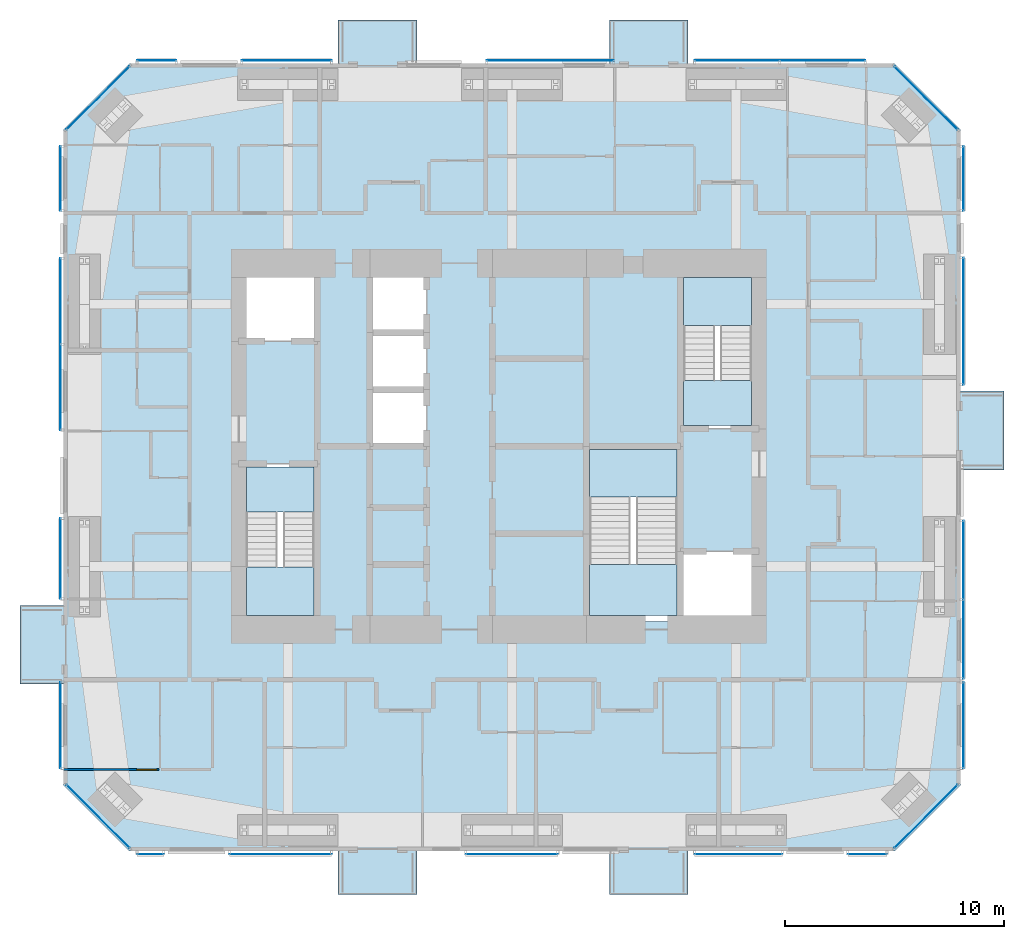
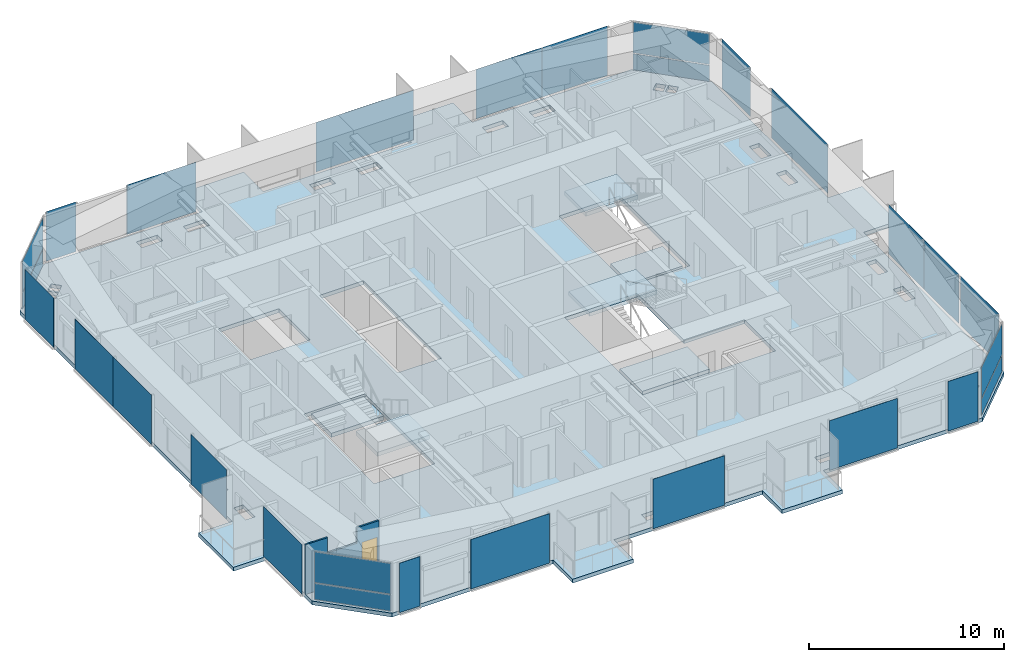
# One storey, part 14 of 23: 28 plates, 7 slabs, 1 door, 1 wall, 1 opening, 24 elements without a shape of their own.
"""IFC4 building model written with IfcOpenShell, lengths in metres."""

from ifc_helpers import new_model, si_unit, direction, frame, frame_2d, origin, origin_2d, place, context, subcontext, project, spatial, polyline, rectangle, outline, extrude, material, layer, layer_set, constituent, constituent_set, type_object, element, fill, aggregate, save


model = new_model("IFC4")

# Units and contexts
model_context = context("Model", 3, precision=1e-05, world=origin(), true_north=direction((0.0, 1.0)))
body_context = subcontext(model_context, "Body", "Model", "MODEL_VIEW")
ifc_project = project(units=[si_unit("LENGTHUNIT", "METRE"), si_unit("AREAUNIT", "SQUARE_METRE"), si_unit("VOLUMEUNIT", "CUBIC_METRE"), si_unit("PLANEANGLEUNIT", "RADIAN"), si_unit("MASSUNIT", "GRAM", prefix="KILO")], contexts=[model_context])

# Site, building, storey
site_placement = place(None, origin())
site = spatial("IfcSite", under=ifc_project, at=site_placement, CompositionType="ELEMENT")
building_placement = place(site_placement, origin())
building = spatial("IfcBuilding", under=site, at=building_placement, Name="Jalousie Tower", CompositionType="ELEMENT")
storey_placement = place(building_placement, frame((0.0, 0.0, 171.10009765625)))
storey = spatial("IfcBuildingStorey", under=building, at=storey_placement, Name="L46", CompositionType="ELEMENT", Elevation=171.10009765625)

# Curtain wall, plates
ifc_material_1 = material(Name="Aluminium curtain wall", Category="aluminium")
curtain_wall_type_1 = type_object("IfcCurtainWallType", Name="CORNER WINDOW WALL", PredefinedType="USERDEFINED", material=ifc_material_1)
curtain_wall_1_placement = place(storey_placement, origin())
curtain_wall_1 = element("IfcCurtainWall", 1, at=curtain_wall_1_placement, inside=storey, type_object=curtain_wall_type_1, Name="Corner Window Wall L46 2", ObjectType="CORNER WINDOW WALL", PredefinedType="USERDEFINED")
ifc_material_2 = material(Name="Laminated impact-rated spandrel glass", Category="glass")
ifc_layer_1 = layer(ifc_material_2, 0.028076171875)
ifc_layer_set_1 = layer_set([ifc_layer_1], Name="Laminated impact-rated spandrel glass")
plate_type_1 = type_object("IfcPlateType", Name="CORNER WINDOW WALL PANEL", PredefinedType="CURTAIN_PANEL", material=ifc_layer_set_1)
plate_1_placement = place(storey_placement, frame((51.4306640625, 1.5693359375, 0.06005859375), z_axis=(0.0, 0.0, 1.0), x_axis=(0.707106781187, 0.707106781187, 0.0)))
plate_1 = element("IfcPlate", 2, at=plate_1_placement, type_object=plate_type_1, Name="CW-C panel 1.1", PredefinedType="CURTAIN_PANEL", context=body_context, shape_type="SweptSolid", body=[
    extrude(rectangle(XDim=4.071533203125, YDim=0.028076171875, at=origin_2d()), origin(), (0.0, 0.0, 1.0), 1.010009765625),
])
plate_2_placement = place(storey_placement, frame((51.4306640625, 1.5693359375, 1.1298828125), z_axis=(0.0, 0.0, 1.0), x_axis=(0.707106781187, 0.707106781187, 0.0)))
plate_2 = element("IfcPlate", 3, at=plate_2_placement, type_object=plate_type_1, Name="CW-C panel 1.2", PredefinedType="CURTAIN_PANEL", context=body_context, shape_type="SweptSolid", body=[
    extrude(rectangle(XDim=4.071533203125, YDim=0.028076171875, at=origin_2d()), origin(), (0.0, 0.0, 1.0), 1.919921875),
])
aggregate(curtain_wall_1, [plate_1, plate_2])

curtain_wall_2_placement = place(storey_placement, origin())
curtain_wall_2 = element("IfcCurtainWall", 4, at=curtain_wall_2_placement, inside=storey, type_object=curtain_wall_type_1, Name="Corner Window Wall L46 4", ObjectType="CORNER WINDOW WALL", PredefinedType="USERDEFINED")
plate_3_placement = place(storey_placement, frame((51.4306640625, 34.4306640625, 0.06005859375), z_axis=(0.0, 0.0, 1.0), x_axis=(-0.707106781187, 0.707106781187, 0.0)))
plate_3 = element("IfcPlate", 5, at=plate_3_placement, type_object=plate_type_1, Name="CW-C panel 1.1", PredefinedType="CURTAIN_PANEL", context=body_context, shape_type="SweptSolid", body=[
    extrude(rectangle(XDim=4.071533203125, YDim=0.028076171875, at=origin_2d()), origin(), (0.0, 0.0, 1.0), 1.010009765625),
])
plate_4_placement = place(storey_placement, frame((51.4306640625, 34.4306640625, 1.1298828125), z_axis=(0.0, 0.0, 1.0), x_axis=(-0.707106781187, 0.707106781187, 0.0)))
plate_4 = element("IfcPlate", 6, at=plate_4_placement, type_object=plate_type_1, Name="CW-C panel 1.2", PredefinedType="CURTAIN_PANEL", context=body_context, shape_type="SweptSolid", body=[
    extrude(rectangle(XDim=4.071533203125, YDim=0.028076171875, at=origin_2d()), origin(), (0.0, 0.0, 1.0), 1.919921875),
])
aggregate(curtain_wall_2, [plate_3, plate_4])

curtain_wall_3_placement = place(storey_placement, origin())
curtain_wall_3 = element("IfcCurtainWall", 7, at=curtain_wall_3_placement, inside=storey, type_object=curtain_wall_type_1, Name="Corner Window Wall L46 6", ObjectType="CORNER WINDOW WALL", PredefinedType="USERDEFINED")
plate_5_placement = place(storey_placement, frame((13.5693359375, 34.4306640625, 0.06005859375), z_axis=(0.0, 0.0, 1.0), x_axis=(-0.707106781187, -0.707106781187, 0.0)))
plate_5 = element("IfcPlate", 8, at=plate_5_placement, type_object=plate_type_1, Name="CW-C panel 1.1", PredefinedType="CURTAIN_PANEL", context=body_context, shape_type="SweptSolid", body=[
    extrude(rectangle(XDim=4.071533203125, YDim=0.028076171875, at=origin_2d()), origin(), (0.0, 0.0, 1.0), 1.010009765625),
])
plate_6_placement = place(storey_placement, frame((13.5693359375, 34.4306640625, 1.1298828125), z_axis=(0.0, 0.0, 1.0), x_axis=(-0.707106781187, -0.707106781187, 0.0)))
plate_6 = element("IfcPlate", 9, at=plate_6_placement, type_object=plate_type_1, Name="CW-C panel 1.2", PredefinedType="CURTAIN_PANEL", context=body_context, shape_type="SweptSolid", body=[
    extrude(rectangle(XDim=4.071533203125, YDim=0.028076171875, at=origin_2d()), origin(), (0.0, 0.0, 1.0), 1.919921875),
])
aggregate(curtain_wall_3, [plate_5, plate_6])

curtain_wall_4_placement = place(storey_placement, origin())
curtain_wall_4 = element("IfcCurtainWall", 10, at=curtain_wall_4_placement, inside=storey, type_object=curtain_wall_type_1, Name="Corner Window Wall L46 8", ObjectType="CORNER WINDOW WALL", PredefinedType="USERDEFINED")
plate_7_placement = place(storey_placement, frame((13.5693359375, 1.5693359375, 0.06005859375), z_axis=(0.0, 0.0, 1.0), x_axis=(0.707106781187, -0.707106781187, 0.0)))
plate_7 = element("IfcPlate", 11, at=plate_7_placement, type_object=plate_type_1, Name="CW-C panel 1.1", PredefinedType="CURTAIN_PANEL", context=body_context, shape_type="SweptSolid", body=[
    extrude(rectangle(XDim=4.071533203125, YDim=0.028076171875, at=origin_2d()), origin(), (0.0, 0.0, 1.0), 1.010009765625),
])
plate_8_placement = place(storey_placement, frame((13.5693359375, 1.5693359375, 1.1298828125), z_axis=(0.0, 0.0, 1.0), x_axis=(0.707106781187, -0.707106781187, 0.0)))
plate_8 = element("IfcPlate", 12, at=plate_8_placement, type_object=plate_type_1, Name="CW-C panel 1.2", PredefinedType="CURTAIN_PANEL", context=body_context, shape_type="SweptSolid", body=[
    extrude(rectangle(XDim=4.071533203125, YDim=0.028076171875, at=origin_2d()), origin(), (0.0, 0.0, 1.0), 1.919921875),
])
aggregate(curtain_wall_4, [plate_7, plate_8])

# Slab
ifc_material_3 = material(Name="Concrete f'c 40 MPa", Category="concrete")
ifc_layer_2 = layer(ifc_material_3, 0.239990234375)
ifc_layer_set_2 = layer_set([ifc_layer_2], Name="Concrete f'c 40 MPa")
slab_type_1 = type_object("IfcSlabType", Name="FLOOR SLAB 240", PredefinedType="FLOOR", material=ifc_layer_set_2)
slab_1_placement = place(storey_placement, frame((0.0, 0.0, -0.239990234375)))
element("IfcSlab", 13, at=slab_1_placement, inside=storey, type_object=slab_type_1, Name="L46 floor slab", PredefinedType="FLOOR", context=body_context, shape_type="SweptSolid", body=[
    extrude(outline(polyline([(40.550048828125, 38.0), (40.550048828125, 36.0), (50.0, 36.0), (53.0, 33.0), (53.0, 21.02490234375), (55.0, 21.02490234375), (55.0, 17.425048828125), (53.0, 17.425048828125), (53.0, 3.0), (50.0, 0.0), (40.550048828125, 0.0), (40.550048828125, -2.0), (36.949951171875, -2.0), (36.949951171875, 0.0), (28.14990234375, 0.0), (28.14990234375, -2.0), (24.550048828125, -2.0), (24.550048828125, 0.0), (15.0, 0.0), (12.0, 3.0), (12.0, 7.625), (10.0, 7.625), (10.0, 11.22509765625), (12.0, 11.22509765625), (12.0, 33.0), (15.0, 36.0), (24.550048828125, 36.0), (24.550048828125, 38.0), (28.14990234375, 38.0), (28.14990234375, 36.0), (36.949951171875, 36.0), (36.949951171875, 38.0), (40.550048828125, 38.0)]), holes=[polyline([(51.763916015625, 27.0), (51.763916015625, 25.77294921875), (52.336181640625, 25.77294921875), (52.336181640625, 27.0), (51.763916015625, 27.0)]), polyline([(52.336181640625, 24.22705078125), (51.763916015625, 24.22705078125), (51.763916015625, 23.0), (52.336181640625, 23.0), (52.336181640625, 24.22705078125)]), polyline([(52.336181640625, 15.0), (51.763916015625, 15.0), (51.763916015625, 13.77294921875), (52.336181640625, 13.77294921875), (52.336181640625, 15.0)]), polyline([(52.336181640625, 12.22705078125), (51.763916015625, 12.22705078125), (51.763916015625, 11.0), (52.336181640625, 11.0), (52.336181640625, 12.22705078125)]), polyline([(50.873291015625, 33.02490234375), (51.278076171875, 33.4296875), (50.89599609375, 33.811767578125), (50.4912109375, 33.406982421875), (50.873291015625, 33.02490234375)]), polyline([(50.89599609375, 2.188232421875), (51.278076171875, 2.5703125), (50.873291015625, 2.97509765625), (50.4912109375, 2.593017578125), (50.89599609375, 2.188232421875)]), polyline([(50.02490234375, 2.126708984375), (50.4296875, 1.721923828125), (50.811767578125, 2.10400390625), (50.406982421875, 2.5087890625), (50.02490234375, 2.126708984375)]), polyline([(50.02490234375, 33.873291015625), (50.406982421875, 33.4912109375), (50.811767578125, 33.89599609375), (50.4296875, 34.278076171875), (50.02490234375, 33.873291015625)]), polyline([(43.52294921875, 34.763916015625), (44.75, 34.763916015625), (44.75, 35.336181640625), (43.52294921875, 35.336181640625), (43.52294921875, 34.763916015625)]), polyline([(43.52294921875, 0.663818359375), (44.75, 0.663818359375), (44.75, 1.236083984375), (43.52294921875, 1.236083984375), (43.52294921875, 0.663818359375)]), polyline([(43.800048828125, 26.5), (40.199951171875, 26.5), (40.199951171875, 19.300048828125), (43.800048828125, 19.300048828125), (43.800048828125, 26.5)]), polyline([(35.89990234375, 18.5), (35.89990234375, 10.5), (43.800048828125, 10.5), (43.800048828125, 13.699951171875), (40.199951171875, 13.699951171875), (40.199951171875, 18.5), (35.89990234375, 18.5)]), polyline([(40.75, 34.763916015625), (41.97705078125, 34.763916015625), (41.97705078125, 35.336181640625), (40.75, 35.336181640625), (40.75, 34.763916015625)]), polyline([(40.75, 0.663818359375), (41.97705078125, 0.663818359375), (41.97705078125, 1.236083984375), (40.75, 1.236083984375), (40.75, 0.663818359375)]), polyline([(34.5, 0.663818359375), (34.5, 1.236083984375), (33.27294921875, 1.236083984375), (33.27294921875, 0.663818359375), (34.5, 0.663818359375)]), polyline([(34.5, 34.763916015625), (34.5, 35.336181640625), (33.27294921875, 35.336181640625), (33.27294921875, 34.763916015625), (34.5, 34.763916015625)]), polyline([(30.5, 35.336181640625), (30.5, 34.763916015625), (31.72705078125, 34.763916015625), (31.72705078125, 35.336181640625), (30.5, 35.336181640625)]), polyline([(30.5, 1.236083984375), (30.5, 0.663818359375), (31.72705078125, 0.663818359375), (31.72705078125, 1.236083984375), (30.5, 1.236083984375)]), polyline([(28.60009765625, 26.5), (26.0, 26.5), (26.0, 18.5), (28.60009765625, 18.5), (28.60009765625, 26.5)]), polyline([(24.25, 35.336181640625), (23.02294921875, 35.336181640625), (23.02294921875, 34.763916015625), (24.25, 34.763916015625), (24.25, 35.336181640625)]), polyline([(24.25, 0.663818359375), (24.25, 1.236083984375), (23.02294921875, 1.236083984375), (23.02294921875, 0.663818359375), (24.25, 0.663818359375)]), polyline([(23.60009765625, 26.5), (20.0, 26.5), (20.0, 23.300048828125), (23.60009765625, 23.300048828125), (23.60009765625, 26.5)]), polyline([(23.60009765625, 17.699951171875), (20.0, 17.699951171875), (20.0, 10.5), (23.60009765625, 10.5), (23.60009765625, 17.699951171875)]), polyline([(21.47705078125, 34.763916015625), (21.47705078125, 35.336181640625), (20.25, 35.336181640625), (20.25, 34.763916015625), (21.47705078125, 34.763916015625)]), polyline([(21.47705078125, 0.663818359375), (21.47705078125, 1.236083984375), (20.25, 1.236083984375), (20.25, 0.663818359375), (21.47705078125, 0.663818359375)]), polyline([(14.97509765625, 33.873291015625), (14.5703125, 34.278076171875), (14.188232421875, 33.89599609375), (14.593017578125, 33.4912109375), (14.97509765625, 33.873291015625)]), polyline([(14.5703125, 1.721923828125), (14.97509765625, 2.126708984375), (14.593017578125, 2.5087890625), (14.188232421875, 2.10400390625), (14.5703125, 1.721923828125)]), polyline([(13.721923828125, 2.5703125), (14.10400390625, 2.188232421875), (14.5087890625, 2.593017578125), (14.126708984375, 2.97509765625), (13.721923828125, 2.5703125)]), polyline([(14.126708984375, 33.02490234375), (14.5087890625, 33.406982421875), (14.10400390625, 33.811767578125), (13.721923828125, 33.4296875), (14.126708984375, 33.02490234375)]), polyline([(12.663818359375, 23.0), (13.236083984375, 23.0), (13.236083984375, 24.22705078125), (12.663818359375, 24.22705078125), (12.663818359375, 23.0)]), polyline([(13.236083984375, 27.0), (12.663818359375, 27.0), (12.663818359375, 25.77294921875), (13.236083984375, 25.77294921875), (13.236083984375, 27.0)]), polyline([(12.663818359375, 15.0), (12.663818359375, 13.77294921875), (13.236083984375, 13.77294921875), (13.236083984375, 15.0), (12.663818359375, 15.0)]), polyline([(13.236083984375, 12.22705078125), (12.663818359375, 12.22705078125), (12.663818359375, 11.0), (13.236083984375, 11.0), (13.236083984375, 12.22705078125)])]), origin(), (0.0, 0.0, 1.0), 0.239990234375),
])

# Curtain wall, plate
ifc_material_4 = material(Name="Perforated aluminium sheet", Category="aluminium")
curtain_wall_type_2 = type_object("IfcCurtainWallType", Name="SOLAR SCREEN SS-1", PredefinedType="USERDEFINED", material=ifc_material_4)
curtain_wall_5_placement = place(storey_placement, origin())
curtain_wall_5 = element("IfcCurtainWall", 14, at=curtain_wall_5_placement, inside=storey, type_object=curtain_wall_type_2, Name="Solar screen L46", ObjectType="SOLAR SCREEN SS-1", PredefinedType="USERDEFINED")
ifc_material_5 = material(Name="Perforated aluminium sheet", Category="aluminium")
ifc_layer_3 = layer(ifc_material_5, 0.006103515625)
ifc_layer_set_3 = layer_set([ifc_layer_3], Name="Perforated aluminium sheet")
plate_type_2 = type_object("IfcPlateType", Name="SOLAR SCREEN SS-1 PANEL", PredefinedType="CURTAIN_PANEL", material=ifc_layer_set_3)
plate_9_placement = place(storey_placement, frame((15.96337890625, -0.150390625, 0.0), z_axis=(0.0, 0.0, 1.0), x_axis=(1.0, 0.0, 0.0)))
plate_9 = element("IfcPlate", 15, at=plate_9_placement, type_object=plate_type_2, Name="SS1 perforated panel 1", PredefinedType="CURTAIN_PANEL", context=body_context, shape_type="SweptSolid", body=[
    extrude(rectangle(XDim=1.224365234375, YDim=0.006103515625, at=origin_2d()), origin(), (0.0, 0.0, 1.0), 3.110107421875),
])
aggregate(curtain_wall_5, [plate_9])

curtain_wall_6_placement = place(storey_placement, origin())
curtain_wall_6 = element("IfcCurtainWall", 16, at=curtain_wall_6_placement, inside=storey, type_object=curtain_wall_type_2, Name="Solar screen L46", ObjectType="SOLAR SCREEN SS-1", PredefinedType="USERDEFINED")
plate_10_placement = place(storey_placement, frame((21.912841796875, -0.150390625, 0.0), z_axis=(0.0, 0.0, 1.0), x_axis=(1.0, 0.0, 0.0)))
plate_10 = element("IfcPlate", 17, at=plate_10_placement, type_object=plate_type_2, Name="SS1 perforated panel 1", PredefinedType="CURTAIN_PANEL", context=body_context, shape_type="SweptSolid", body=[
    extrude(rectangle(XDim=4.67431640625, YDim=0.006103515625, at=origin_2d()), origin(), (0.0, 0.0, 1.0), 3.110107421875),
])
aggregate(curtain_wall_6, [plate_10])

curtain_wall_7_placement = place(storey_placement, origin())
curtain_wall_7 = element("IfcCurtainWall", 18, at=curtain_wall_7_placement, inside=storey, type_object=curtain_wall_type_2, Name="Solar screen L46", ObjectType="SOLAR SCREEN SS-1", PredefinedType="USERDEFINED")
plate_11_placement = place(storey_placement, frame((32.489501953125, -0.150390625, 0.0), z_axis=(0.0, 0.0, 1.0), x_axis=(1.0, 0.0, 0.0)))
plate_11 = element("IfcPlate", 19, at=plate_11_placement, type_object=plate_type_2, Name="SS1 perforated panel 1", PredefinedType="CURTAIN_PANEL", context=body_context, shape_type="SweptSolid", body=[
    extrude(rectangle(XDim=4.22119140625, YDim=0.006103515625, at=origin_2d()), origin(), (0.0, 0.0, 1.0), 3.110107421875),
])
aggregate(curtain_wall_7, [plate_11])

curtain_wall_8_placement = place(storey_placement, origin())
curtain_wall_8 = element("IfcCurtainWall", 20, at=curtain_wall_8_placement, inside=storey, type_object=curtain_wall_type_2, Name="Solar screen L46", ObjectType="SOLAR SCREEN SS-1", PredefinedType="USERDEFINED")
plate_12_placement = place(storey_placement, frame((42.8544921875, -0.150390625, 0.0), z_axis=(0.0, 0.0, 1.0), x_axis=(1.0, 0.0, 0.0)))
plate_12 = element("IfcPlate", 21, at=plate_12_placement, type_object=plate_type_2, Name="SS1 perforated panel 1", PredefinedType="CURTAIN_PANEL", context=body_context, shape_type="SweptSolid", body=[
    extrude(rectangle(XDim=4.00927734375, YDim=0.006103515625, at=origin_2d()), origin(), (0.0, 0.0, 1.0), 3.110107421875),
])
aggregate(curtain_wall_8, [plate_12])

curtain_wall_9_placement = place(storey_placement, origin())
curtain_wall_9 = element("IfcCurtainWall", 22, at=curtain_wall_9_placement, inside=storey, type_object=curtain_wall_type_2, Name="Solar screen L46", ObjectType="SOLAR SCREEN SS-1", PredefinedType="USERDEFINED")
plate_13_placement = place(storey_placement, frame((48.75390625, -0.150390625, 0.0), z_axis=(0.0, 0.0, 1.0), x_axis=(1.0, 0.0, 0.0)))
plate_13 = element("IfcPlate", 23, at=plate_13_placement, type_object=plate_type_2, Name="SS1 perforated panel 1", PredefinedType="CURTAIN_PANEL", context=body_context, shape_type="SweptSolid", body=[
    extrude(rectangle(XDim=1.789306640625, YDim=0.006103515625, at=origin_2d()), origin(), (0.0, 0.0, 1.0), 3.110107421875),
])
aggregate(curtain_wall_9, [plate_13])

curtain_wall_10_placement = place(storey_placement, origin())
curtain_wall_10 = element("IfcCurtainWall", 24, at=curtain_wall_10_placement, inside=storey, type_object=curtain_wall_type_2, Name="Solar screen L46", ObjectType="SOLAR SCREEN SS-1", PredefinedType="USERDEFINED")
plate_14_placement = place(storey_placement, frame((53.150390625, 5.748046875, 0.0), z_axis=(0.0, 0.0, 1.0), x_axis=(0.0, 1.0, 0.0)))
plate_14 = element("IfcPlate", 25, at=plate_14_placement, type_object=plate_type_2, Name="SS1 perforated panel 1", PredefinedType="CURTAIN_PANEL", context=body_context, shape_type="SweptSolid", body=[
    extrude(rectangle(XDim=3.95361328125, YDim=0.006103515625, at=origin_2d()), origin(), (0.0, 0.0, 1.0), 3.110107421875),
])
aggregate(curtain_wall_10, [plate_14])

# Curtain wall, plates
curtain_wall_11_placement = place(storey_placement, origin())
curtain_wall_11 = element("IfcCurtainWall", 26, at=curtain_wall_11_placement, inside=storey, type_object=curtain_wall_type_2, Name="Solar screen L46", ObjectType="SOLAR SCREEN SS-1", PredefinedType="USERDEFINED")
plate_15_placement = place(storey_placement, frame((53.150390625, 9.681396484375, 0.0), z_axis=(0.0, 0.0, 1.0), x_axis=(0.0, 1.0, 0.0)))
plate_15 = element("IfcPlate", 27, at=plate_15_placement, type_object=plate_type_2, Name="SS1 perforated panel 1", PredefinedType="CURTAIN_PANEL", context=body_context, shape_type="SweptSolid", body=[
    extrude(rectangle(XDim=3.612548828125, YDim=0.006103515625, at=origin_2d()), origin(), (0.0, 0.0, 1.0), 3.110107421875),
])
plate_16_placement = place(storey_placement, frame((53.150390625, 13.293701171875, 0.0), z_axis=(0.0, 0.0, 1.0), x_axis=(0.0, 1.0, 0.0)))
plate_16 = element("IfcPlate", 28, at=plate_16_placement, type_object=plate_type_2, Name="SS1 perforated panel 2", PredefinedType="CURTAIN_PANEL", context=body_context, shape_type="SweptSolid", body=[
    extrude(rectangle(XDim=3.612548828125, YDim=0.006103515625, at=origin_2d()), origin(), (0.0, 0.0, 1.0), 3.110107421875),
])
aggregate(curtain_wall_11, [plate_15, plate_16])

# Curtain wall, plate
curtain_wall_12_placement = place(storey_placement, origin())
curtain_wall_12 = element("IfcCurtainWall", 29, at=curtain_wall_12_placement, inside=storey, type_object=curtain_wall_type_2, Name="Solar screen L46", ObjectType="SOLAR SCREEN SS-1", PredefinedType="USERDEFINED")
plate_17_placement = place(storey_placement, frame((53.150390625, 24.224853515625, 0.0), z_axis=(0.0, 0.0, 1.0), x_axis=(0.0, 1.0, 0.0)))
plate_17 = element("IfcPlate", 30, at=plate_17_placement, type_object=plate_type_2, Name="SS1 perforated panel 1", PredefinedType="CURTAIN_PANEL", context=body_context, shape_type="SweptSolid", body=[
    extrude(rectangle(XDim=5.799560546875, YDim=0.006103515625, at=origin_2d()), origin(), (0.0, 0.0, 1.0), 3.110107421875),
])
aggregate(curtain_wall_12, [plate_17])

curtain_wall_13_placement = place(storey_placement, origin())
curtain_wall_13 = element("IfcCurtainWall", 31, at=curtain_wall_13_placement, inside=storey, type_object=curtain_wall_type_2, Name="Solar screen L46", ObjectType="SOLAR SCREEN SS-1", PredefinedType="USERDEFINED")
plate_18_placement = place(storey_placement, frame((53.150390625, 30.751953125, 0.0), z_axis=(0.0, 0.0, 1.0), x_axis=(0.0, 1.0, 0.0)))
plate_18 = element("IfcPlate", 32, at=plate_18_placement, type_object=plate_type_2, Name="SS1 perforated panel 1", PredefinedType="CURTAIN_PANEL", context=body_context, shape_type="SweptSolid", body=[
    extrude(rectangle(XDim=2.95361328125, YDim=0.006103515625, at=origin_2d()), origin(), (0.0, 0.0, 1.0), 3.110107421875),
])
aggregate(curtain_wall_13, [plate_18])

# Curtain wall, plates
curtain_wall_14_placement = place(storey_placement, origin())
curtain_wall_14 = element("IfcCurtainWall", 33, at=curtain_wall_14_placement, inside=storey, type_object=curtain_wall_type_2, Name="Solar screen L46", ObjectType="SOLAR SCREEN SS-1", PredefinedType="USERDEFINED")
plate_19_placement = place(storey_placement, frame((46.699951171875, 36.150390625, 0.0), z_axis=(0.0, 0.0, 1.0), x_axis=(-1.0, 0.0, 0.0)))
plate_19 = element("IfcPlate", 34, at=plate_19_placement, type_object=plate_type_2, Name="SS1 perforated panel 1", PredefinedType="CURTAIN_PANEL", context=body_context, shape_type="SweptSolid", body=[
    extrude(rectangle(XDim=3.89990234375, YDim=0.006103515625, at=origin_2d()), origin(), (0.0, 0.0, 1.0), 3.110107421875),
])
plate_20_placement = place(storey_placement, frame((42.800048828125, 36.150390625, 0.0), z_axis=(0.0, 0.0, 1.0), x_axis=(-1.0, 0.0, 0.0)))
plate_20 = element("IfcPlate", 35, at=plate_20_placement, type_object=plate_type_2, Name="SS1 perforated panel 2", PredefinedType="CURTAIN_PANEL", context=body_context, shape_type="SweptSolid", body=[
    extrude(rectangle(XDim=3.89990234375, YDim=0.006103515625, at=origin_2d()), origin(), (0.0, 0.0, 1.0), 3.110107421875),
])
aggregate(curtain_wall_14, [plate_19, plate_20])

# Curtain wall, plate
curtain_wall_15_placement = place(storey_placement, origin())
curtain_wall_15 = element("IfcCurtainWall", 36, at=curtain_wall_15_placement, inside=storey, type_object=curtain_wall_type_2, Name="Solar screen L46", ObjectType="SOLAR SCREEN SS-1", PredefinedType="USERDEFINED")
plate_21_placement = place(storey_placement, frame((34.25, 36.150390625, 0.0), z_axis=(0.0, 0.0, 1.0), x_axis=(-1.0, 0.0, 0.0)))
plate_21 = element("IfcPlate", 37, at=plate_21_placement, type_object=plate_type_2, Name="SS1 perforated panel 1", PredefinedType="CURTAIN_PANEL", context=body_context, shape_type="SweptSolid", body=[
    extrude(rectangle(XDim=5.800048828125, YDim=0.006103515625, at=origin_2d()), origin(), (0.0, 0.0, 1.0), 3.110107421875),
])
aggregate(curtain_wall_15, [plate_21])

curtain_wall_16_placement = place(storey_placement, origin())
curtain_wall_16 = element("IfcCurtainWall", 38, at=curtain_wall_16_placement, inside=storey, type_object=curtain_wall_type_2, Name="Solar screen L46", ObjectType="SOLAR SCREEN SS-1", PredefinedType="USERDEFINED")
plate_22_placement = place(storey_placement, frame((22.197265625, 36.150390625, 0.0), z_axis=(0.0, 0.0, 1.0), x_axis=(-1.0, 0.0, 0.0)))
plate_22 = element("IfcPlate", 39, at=plate_22_placement, type_object=plate_type_2, Name="SS1 perforated panel 1", PredefinedType="CURTAIN_PANEL", context=body_context, shape_type="SweptSolid", body=[
    extrude(rectangle(XDim=4.10546875, YDim=0.006103515625, at=origin_2d()), origin(), (0.0, 0.0, 1.0), 3.110107421875),
])
aggregate(curtain_wall_16, [plate_22])

curtain_wall_17_placement = place(storey_placement, origin())
curtain_wall_17 = element("IfcCurtainWall", 40, at=curtain_wall_17_placement, inside=storey, type_object=curtain_wall_type_2, Name="Solar screen L46", ObjectType="SOLAR SCREEN SS-1", PredefinedType="USERDEFINED")
plate_23_placement = place(storey_placement, frame((16.247802734375, 36.150390625, 0.0), z_axis=(0.0, 0.0, 1.0), x_axis=(-1.0, 0.0, 0.0)))
plate_23 = element("IfcPlate", 41, at=plate_23_placement, type_object=plate_type_2, Name="SS1 perforated panel 1", PredefinedType="CURTAIN_PANEL", context=body_context, shape_type="SweptSolid", body=[
    extrude(rectangle(XDim=1.793212890625, YDim=0.006103515625, at=origin_2d()), origin(), (0.0, 0.0, 1.0), 3.110107421875),
])
aggregate(curtain_wall_17, [plate_23])

curtain_wall_18_placement = place(storey_placement, origin())
curtain_wall_18 = element("IfcCurtainWall", 42, at=curtain_wall_18_placement, inside=storey, type_object=curtain_wall_type_2, Name="Solar screen L46", ObjectType="SOLAR SCREEN SS-1", PredefinedType="USERDEFINED")
plate_24_placement = place(storey_placement, frame((11.849609375, 30.751953125, 0.0), z_axis=(0.0, 0.0, 1.0), x_axis=(0.0, -1.0, 0.0)))
plate_24 = element("IfcPlate", 43, at=plate_24_placement, type_object=plate_type_2, Name="SS1 perforated panel 1", PredefinedType="CURTAIN_PANEL", context=body_context, shape_type="SweptSolid", body=[
    extrude(rectangle(XDim=2.95361328125, YDim=0.006103515625, at=origin_2d()), origin(), (0.0, 0.0, 1.0), 3.110107421875),
])
aggregate(curtain_wall_18, [plate_24])

# Curtain wall, plates
curtain_wall_19_placement = place(storey_placement, origin())
curtain_wall_19 = element("IfcCurtainWall", 44, at=curtain_wall_19_placement, inside=storey, type_object=curtain_wall_type_2, Name="Solar screen L46", ObjectType="SOLAR SCREEN SS-1", PredefinedType="USERDEFINED")
plate_25_placement = place(storey_placement, frame((11.849609375, 25.137451171875, 0.0), z_axis=(0.0, 0.0, 1.0), x_axis=(0.0, -1.0, 0.0)))
plate_25 = element("IfcPlate", 45, at=plate_25_placement, type_object=plate_type_2, Name="SS1 perforated panel 1", PredefinedType="CURTAIN_PANEL", context=body_context, shape_type="SweptSolid", body=[
    extrude(rectangle(XDim=3.925048828125, YDim=0.006103515625, at=origin_2d()), origin(), (0.0, 0.0, 1.0), 3.110107421875),
])
plate_26_placement = place(storey_placement, frame((11.849609375, 21.21240234375, 0.0), z_axis=(0.0, 0.0, 1.0), x_axis=(0.0, -1.0, 0.0)))
plate_26 = element("IfcPlate", 46, at=plate_26_placement, type_object=plate_type_2, Name="SS1 perforated panel 2", PredefinedType="CURTAIN_PANEL", context=body_context, shape_type="SweptSolid", body=[
    extrude(rectangle(XDim=3.925048828125, YDim=0.006103515625, at=origin_2d()), origin(), (0.0, 0.0, 1.0), 3.110107421875),
])
aggregate(curtain_wall_19, [plate_25, plate_26])

# Curtain wall, plate
curtain_wall_20_placement = place(storey_placement, origin())
curtain_wall_20 = element("IfcCurtainWall", 47, at=curtain_wall_20_placement, inside=storey, type_object=curtain_wall_type_2, Name="Solar screen L46", ObjectType="SOLAR SCREEN SS-1", PredefinedType="USERDEFINED")
plate_27_placement = place(storey_placement, frame((11.849609375, 13.364990234375, 0.0), z_axis=(0.0, 0.0, 1.0), x_axis=(0.0, -1.0, 0.0)))
plate_27 = element("IfcPlate", 48, at=plate_27_placement, type_object=plate_type_2, Name="SS1 perforated panel 1", PredefinedType="CURTAIN_PANEL", context=body_context, shape_type="SweptSolid", body=[
    extrude(rectangle(XDim=3.679931640625, YDim=0.006103515625, at=origin_2d()), origin(), (0.0, 0.0, 1.0), 3.110107421875),
])
aggregate(curtain_wall_20, [plate_27])

curtain_wall_21_placement = place(storey_placement, origin())
curtain_wall_21 = element("IfcCurtainWall", 49, at=curtain_wall_21_placement, inside=storey, type_object=curtain_wall_type_2, Name="Solar screen L46", ObjectType="SOLAR SCREEN SS-1", PredefinedType="USERDEFINED")
plate_28_placement = place(storey_placement, frame((11.849609375, 5.748046875, 0.0), z_axis=(0.0, 0.0, 1.0), x_axis=(0.0, -1.0, 0.0)))
plate_28 = element("IfcPlate", 50, at=plate_28_placement, type_object=plate_type_2, Name="SS1 perforated panel 1", PredefinedType="CURTAIN_PANEL", context=body_context, shape_type="SweptSolid", body=[
    extrude(rectangle(XDim=3.95361328125, YDim=0.006103515625, at=origin_2d()), origin(), (0.0, 0.0, 1.0), 3.110107421875),
])
aggregate(curtain_wall_21, [plate_28])

# Stair, slabs
ifc_material_6 = material(Name="Concrete f'c 40 MPa", Category="concrete")
stair_type = type_object("IfcStairType", Name="EXIT STAIR", PredefinedType="HALF_TURN_STAIR", material=ifc_material_6)
stair_1_placement = place(storey_placement, origin())
stair_1 = element("IfcStair", 51, at=stair_1_placement, inside=storey, type_object=stair_type, Name="Exit stair A L46", PredefinedType="HALF_TURN_STAIR")
ifc_material_7 = material(Name="Concrete f'c 40 MPa", Category="concrete")
ifc_layer_4 = layer(ifc_material_7, 0.25)
ifc_layer_set_4 = layer_set([ifc_layer_4], Name="Concrete f'c 40 MPa")
slab_type_2 = type_object("IfcSlabType", Name="STAIR LANDING 250", PredefinedType="LANDING", material=ifc_layer_set_4)
slab_2_placement = place(storey_placement, frame((0.0, 0.0, -0.25)))
slab_2 = element("IfcSlab", 52, at=slab_2_placement, type_object=slab_type_2, Name="ST-A landing 1", PredefinedType="LANDING", context=body_context, shape_type="SweptSolid", body=[
    extrude(outline(polyline([(20.35009765625, 15.49755859375), (23.449951171875, 15.49755859375), (23.449951171875, 17.550048828125), (20.35009765625, 17.550048828125), (20.35009765625, 15.49755859375)])), origin(), (0.0, 0.0, 1.0), 0.25),
])
slab_3_placement = place(storey_placement, frame((0.0, 0.0, 1.4248046875)))
slab_3 = element("IfcSlab", 53, at=slab_3_placement, type_object=slab_type_2, Name="ST-A landing 2", PredefinedType="LANDING", context=body_context, shape_type="SweptSolid", body=[
    extrude(outline(polyline([(20.35009765625, 10.77490234375), (23.449951171875, 10.77490234375), (23.449951171875, 12.9775390625), (20.35009765625, 12.9775390625), (20.35009765625, 10.77490234375)])), origin(), (0.0, 0.0, 1.0), 0.25),
])
aggregate(stair_1, [slab_2, slab_3])

stair_2_placement = place(storey_placement, origin())
stair_2 = element("IfcStair", 54, at=stair_2_placement, inside=storey, type_object=stair_type, Name="Exit stair B L46", PredefinedType="HALF_TURN_STAIR")
slab_4_placement = place(storey_placement, frame((0.0, 0.0, -0.25)))
slab_4 = element("IfcSlab", 55, at=slab_4_placement, type_object=slab_type_2, Name="ST-B landing 1", PredefinedType="LANDING", context=body_context, shape_type="SweptSolid", body=[
    extrude(outline(polyline([(40.35009765625, 19.449951171875), (43.449951171875, 19.449951171875), (43.449951171875, 21.50244140625), (40.35009765625, 21.50244140625), (40.35009765625, 19.449951171875)])), origin(), (0.0, 0.0, 1.0), 0.25),
])
slab_5_placement = place(storey_placement, frame((0.0, 0.0, 1.4248046875)))
slab_5 = element("IfcSlab", 56, at=slab_5_placement, type_object=slab_type_2, Name="ST-B landing 2", PredefinedType="LANDING", context=body_context, shape_type="SweptSolid", body=[
    extrude(outline(polyline([(40.35009765625, 24.0224609375), (43.449951171875, 24.0224609375), (43.449951171875, 26.22509765625), (40.35009765625, 26.22509765625), (40.35009765625, 24.0224609375)])), origin(), (0.0, 0.0, 1.0), 0.25),
])
aggregate(stair_2, [slab_4, slab_5])

stair_3_placement = place(storey_placement, origin())
stair_3 = element("IfcStair", 57, at=stair_3_placement, inside=storey, type_object=stair_type, Name="Exit stair C L46", PredefinedType="HALF_TURN_STAIR")
slab_6_placement = place(storey_placement, frame((0.0, 0.0, -0.25)))
slab_6 = element("IfcSlab", 58, at=slab_6_placement, type_object=slab_type_2, Name="ST-C landing 1", PredefinedType="LANDING", context=body_context, shape_type="SweptSolid", body=[
    extrude(outline(polyline([(36.050048828125, 10.77490234375), (40.050048828125, 10.77490234375), (40.050048828125, 13.097412109375), (36.050048828125, 13.097412109375), (36.050048828125, 10.77490234375)])), origin(), (0.0, 0.0, 1.0), 0.25),
])
slab_7_placement = place(storey_placement, frame((0.0, 0.0, 1.4248046875)))
slab_7 = element("IfcSlab", 59, at=slab_7_placement, type_object=slab_type_2, Name="ST-C landing 2", PredefinedType="LANDING", context=body_context, shape_type="SweptSolid", body=[
    extrude(outline(polyline([(36.050048828125, 16.177490234375), (40.050048828125, 16.177490234375), (40.050048828125, 18.35009765625), (36.050048828125, 18.35009765625), (36.050048828125, 16.177490234375)])), origin(), (0.0, 0.0, 1.0), 0.25),
])
aggregate(stair_3, [slab_6, slab_7])

# Wall, opening, door
ifc_material_8 = material(Name="Gypsum board", Category="gypsum")
ifc_constituent_1 = constituent(ifc_material_8, Name="Body")
ifc_material_9 = material(Name="Light-gauge steel studs ASTM A653 SS Grade 33", Category="steel")
ifc_constituent_2 = constituent(ifc_material_9, Name="Framing")
ifc_constituent_set = constituent_set(constituents=[ifc_constituent_1, ifc_constituent_2])
wall_type = type_object("IfcWallType", Name="PARTITION 100", PredefinedType="PARTITIONING", material=ifc_constituent_set)
wall_placement = place(storey_placement, frame((16.35009765625, 3.72119140625, 0.0), z_axis=(0.0, 0.0, 1.0), x_axis=(-1.0, 0.0, 0.0)))
wall = element("IfcWall", 60, at=wall_placement, inside=storey, type_object=wall_type, Name="Partition 100 L46", PredefinedType="PARTITIONING", context=body_context, shape_type="SweptSolid", body=[
    extrude(outline(polyline([(0.0, 0.0), (4.35009765625, 0.0), (4.35009765625, 3.10986328125), (3.049072265625, 3.10986328125), (3.049072265625, 2.14990234375), (1.314453125, 2.14990234375), (1.314453125, 3.10986328125), (0.0, 3.10986328125), (0.0, 0.0)])), frame((0.0, 0.050048828125, 0.0), z_axis=(0.0, -1.0, 0.0), x_axis=(1.0, 0.0, 0.0)), (0.0, 0.0, 1.0), 0.10009765625),
])
opening_placement = place(wall_placement, frame((0.10009765625, 0.0, 0.0)))
opening = element("IfcOpeningElement", 61, at=opening_placement, cuts=wall, Name="Opening D2", PredefinedType="OPENING", context=body_context, shape_type="SweptSolid", body=[
    extrude(rectangle(XDim=0.89990234375, YDim=2.10009765625, at=frame_2d((0.449951171875, 1.050048828125))), frame((0.0, 0.06005859375, 0.0), z_axis=(0.0, -1.0, 0.0), x_axis=(1.0, 0.0, 0.0)), (0.0, 0.0, 1.0), 0.1201171875),
])
ifc_material_10 = material(Name="Timber door", Category="wood")
door_type = type_object("IfcDoorType", Name="BEDROOM DOOR 900", OperationType="SINGLE_SWING_LEFT", PredefinedType="DOOR", material=ifc_material_10)
door_placement = place(opening_placement, frame((0.89990234375, 0.0, 0.0), z_axis=(0.0, 0.0, 1.0), x_axis=(-1.0, 0.0, 0.0)))
door = element("IfcDoor", 62, at=door_placement, inside=storey, type_object=door_type, Name="Apartment 4601 bedroom 1 door", OperationType="SINGLE_SWING_RIGHT", OverallHeight=2.10009765625, OverallWidth=0.89990234375, PredefinedType="DOOR", context=body_context, shape_type="SweptSolid", body=[
    extrude(rectangle(XDim=0.89990234375, YDim=2.10009765625, at=frame_2d((0.449951171875, 1.050048828125))), frame((0.0, 0.02490234375, 0.0), z_axis=(0.0, -1.0, 0.0), x_axis=(1.0, 0.0, 0.0)), (0.0, 0.0, 1.0), 0.050048828125),
])
fill(opening, door)

save(model, "model.ifc")
